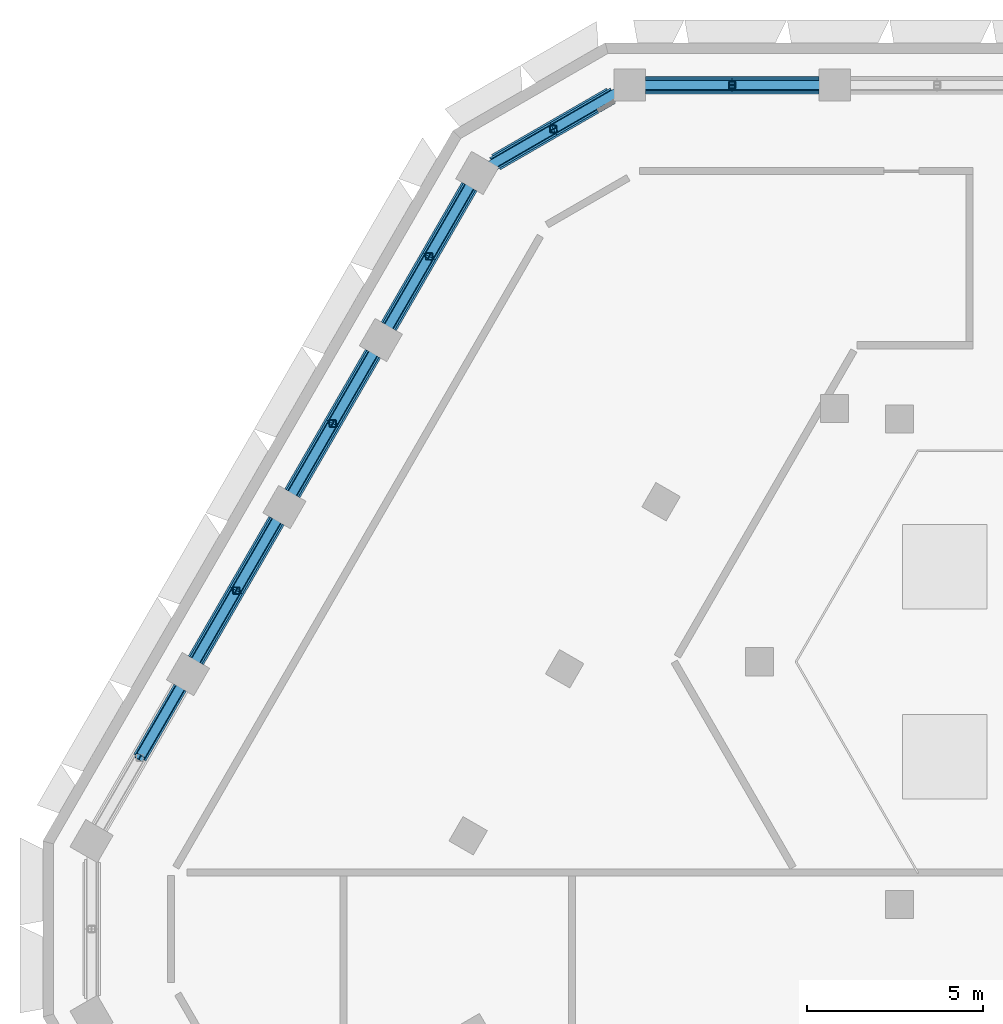
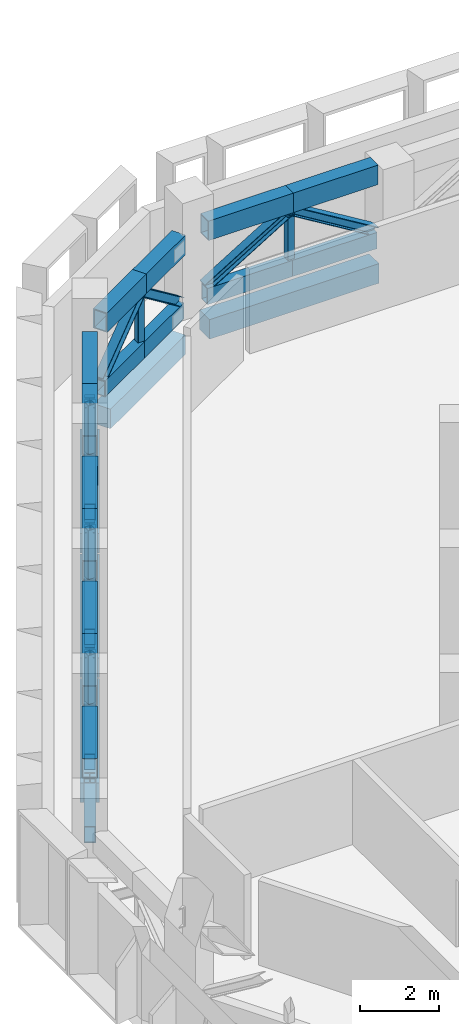
# One storey, part 7 of 22: 38 members, 5 beams.
"""IFC4 building model written with IfcOpenShell, lengths in metres."""

from ifc_helpers import new_model, si_unit, direction, frame, origin, origin_2d, place, context, subcontext, project, spatial, rectangle, hollow_rectangle, i_section, extrude, material, material_profile, profile_set, type_object, element, save


model = new_model("IFC4")

# Units and contexts
model_context = context("Model", 3, precision=1e-05, world=origin(), true_north=direction((0.0, 1.0)))
body_context = subcontext(model_context, "Body", "Model", "MODEL_VIEW")
ifc_project = project(units=[si_unit("LENGTHUNIT", "METRE"), si_unit("AREAUNIT", "SQUARE_METRE"), si_unit("VOLUMEUNIT", "CUBIC_METRE"), si_unit("PLANEANGLEUNIT", "RADIAN"), si_unit("MASSUNIT", "GRAM", prefix="KILO")], contexts=[model_context])

# Site, building, storey
site_placement = place(None, origin())
site = spatial("IfcSite", under=ifc_project, at=site_placement, CompositionType="ELEMENT")
building_placement = place(site_placement, origin())
building = spatial("IfcBuilding", under=site, at=building_placement, Name="Beryl Residences", CompositionType="ELEMENT")
storey_placement = place(building_placement, frame((0.0, 0.0, 153.60009765625)))
storey = spatial("IfcBuildingStorey", under=building, at=storey_placement, Name="L47", CompositionType="ELEMENT", Elevation=153.60009765625)

# Members
ifc_material_1 = material(Name="Steel S355", Category="steel")
ifc_material_profile_1 = material_profile(ifc_material_1, hollow_rectangle(XDim=0.300048828125, YDim=0.5, WallThickness=0.02001953125, at=origin_2d()))
ifc_profile_set_1 = profile_set([ifc_material_profile_1], Name="Steel S355")
member_type_1 = type_object("IfcMemberType", Name="BB3 belt truss bottom chord WB 500x300x20", PredefinedType="CHORD", material=ifc_profile_set_1)
member_1_placement = place(storey_placement, frame((-6.281005859375, 24.39990234375, 0.25), z_axis=(-1.0, 0.0, 0.0), x_axis=(0.0, -1.0, 0.0)))
element("IfcMember", 1, at=member_1_placement, inside=storey, type_object=member_type_1, Name="Belt truss BB3-N-3a L47", PredefinedType="CHORD", context=body_context, shape_type="SweptSolid", body=[
    extrude(hollow_rectangle(XDim=0.300048828125, YDim=0.5, WallThickness=0.02001953125, at=origin_2d()), origin(), (0.0, 0.0, 1.0), 2.466064453125),
])
member_2_placement = place(storey_placement, frame((-8.7470703125, 24.39990234375, 0.25), z_axis=(-1.0, 0.0, 0.0), x_axis=(0.0, -1.0, 0.0)))
element("IfcMember", 2, at=member_2_placement, inside=storey, type_object=member_type_1, Name="Belt truss BB3-N-3b L47", PredefinedType="CHORD", context=body_context, shape_type="SweptSolid", body=[
    extrude(hollow_rectangle(XDim=0.300048828125, YDim=0.5, WallThickness=0.02001953125, at=origin_2d()), origin(), (0.0, 0.0, 1.0), 2.46484375),
])
member_3_placement = place(storey_placement, frame((-12.112060546875, 24.139892578125, 0.25), z_axis=(-0.866165067302, -0.499758017631, 0.0), x_axis=(0.499758017631, -0.866165067302, 0.0)))
element("IfcMember", 3, at=member_3_placement, inside=storey, type_object=member_type_1, Name="Belt truss BB3-N-4a L47", PredefinedType="CHORD", context=body_context, shape_type="SweptSolid", body=[
    extrude(hollow_rectangle(XDim=0.300048828125, YDim=0.5, WallThickness=0.02001953125, at=origin_2d()), origin(), (0.0, 0.0, 1.0), 1.98095703125),
])
member_4_placement = place(storey_placement, frame((-13.827880859375, 23.14990234375, 0.25), z_axis=(-0.866072678707, -0.499918108492, 0.0), x_axis=(0.499918108492, -0.866072678707, 0.0)))
element("IfcMember", 4, at=member_4_placement, inside=storey, type_object=member_type_1, Name="Belt truss BB3-N-4b L47", PredefinedType="CHORD", context=body_context, shape_type="SweptSolid", body=[
    extrude(hollow_rectangle(XDim=0.300048828125, YDim=0.5, WallThickness=0.02001953125, at=origin_2d()), origin(), (0.0, 0.0, 1.0), 1.980224609375),
])
member_5_placement = place(storey_placement, frame((-16.218017578125, 21.510009765625, 0.25), z_axis=(-0.499965247104, -0.866045467449, 0.0), x_axis=(0.866045467449, -0.499965247104, 0.0)))
element("IfcMember", 5, at=member_5_placement, inside=storey, type_object=member_type_1, Name="Belt truss BB3-NW-0a L47", PredefinedType="CHORD", context=body_context, shape_type="SweptSolid", body=[
    extrude(hollow_rectangle(XDim=0.300048828125, YDim=0.5, WallThickness=0.02001953125, at=origin_2d()), origin(), (0.0, 0.0, 1.0), 2.292236328125),
])
member_6_placement = place(storey_placement, frame((-17.364013671875, 19.52490234375, 0.25), z_axis=(-0.500011369369, -0.866018839577, 0.0), x_axis=(0.866018839577, -0.500011369369, 0.0)))
element("IfcMember", 6, at=member_6_placement, inside=storey, type_object=member_type_1, Name="Belt truss BB3-NW-0b L47", PredefinedType="CHORD", context=body_context, shape_type="SweptSolid", body=[
    extrude(hollow_rectangle(XDim=0.300048828125, YDim=0.5, WallThickness=0.02001953125, at=origin_2d()), origin(), (0.0, 0.0, 1.0), 2.2919921875),
])
member_7_placement = place(storey_placement, frame((-18.9599609375, 16.760009765625, 0.25), z_axis=(-0.500284694487, -0.865860972941, 0.0), x_axis=(0.865860972941, -0.500284694487, 0.0)))
element("IfcMember", 7, at=member_7_placement, inside=storey, type_object=member_type_1, Name="Belt truss BB3-NW-1a L47", PredefinedType="CHORD", context=body_context, shape_type="SweptSolid", body=[
    extrude(hollow_rectangle(XDim=0.300048828125, YDim=0.5, WallThickness=0.02001953125, at=origin_2d()), origin(), (0.0, 0.0, 1.0), 2.292724609375),
])
member_8_placement = place(storey_placement, frame((-20.10693359375, 14.77490234375, 0.25), z_axis=(-0.500011369369, -0.866018839577, 0.0), x_axis=(0.866018839577, -0.500011369369, 0.0)))
element("IfcMember", 8, at=member_8_placement, inside=storey, type_object=member_type_1, Name="Belt truss BB3-NW-1b L47", PredefinedType="CHORD", context=body_context, shape_type="SweptSolid", body=[
    extrude(hollow_rectangle(XDim=0.300048828125, YDim=0.5, WallThickness=0.02001953125, at=origin_2d()), origin(), (0.0, 0.0, 1.0), 2.2919921875),
])
member_9_placement = place(storey_placement, frame((-21.702880859375, 12.010009765625, 0.25), z_axis=(-0.500045128092, -0.865999347501, 0.0), x_axis=(0.865999347501, -0.500045128092, 0.0)))
element("IfcMember", 9, at=member_9_placement, inside=storey, type_object=member_type_1, Name="Belt truss BB3-NW-2a L47", PredefinedType="CHORD", context=body_context, shape_type="SweptSolid", body=[
    extrude(hollow_rectangle(XDim=0.300048828125, YDim=0.5, WallThickness=0.02001953125, at=origin_2d()), origin(), (0.0, 0.0, 1.0), 2.292236328125),
])
member_10_placement = place(storey_placement, frame((-22.84912109375, 10.02490234375, 0.25), z_axis=(-0.500011369369, -0.866018839577, 0.0), x_axis=(0.866018839577, -0.500011369369, 0.0)))
element("IfcMember", 10, at=member_10_placement, inside=storey, type_object=member_type_1, Name="Belt truss BB3-NW-2b L47", PredefinedType="CHORD", context=body_context, shape_type="SweptSolid", body=[
    extrude(hollow_rectangle(XDim=0.300048828125, YDim=0.5, WallThickness=0.02001953125, at=origin_2d()), origin(), (0.0, 0.0, 1.0), 2.2919921875),
])
member_11_placement = place(storey_placement, frame((-24.445068359375, 7.260009765625, 0.25), z_axis=(-0.499965247104, -0.866045467449, 0.0), x_axis=(0.866045467449, -0.499965247104, 0.0)))
element("IfcMember", 11, at=member_11_placement, inside=storey, type_object=member_type_1, Name="Belt truss BB3-NW-3a L47", PredefinedType="CHORD", context=body_context, shape_type="SweptSolid", body=[
    extrude(hollow_rectangle(XDim=0.300048828125, YDim=0.5, WallThickness=0.02001953125, at=origin_2d()), origin(), (0.0, 0.0, 1.0), 2.292236328125),
])
ifc_material_2 = material(Name="Steel S355", Category="steel")
ifc_material_profile_2 = material_profile(ifc_material_2, i_section(OverallWidth=0.256103515625, OverallDepth=0.260009765625, WebThickness=0.010498046875, FlangeThickness=0.017333984375, FilletRadius=0.013916015625, at=origin_2d()))
ifc_profile_set_2 = profile_set([ifc_material_profile_2], Name="Steel S355")
member_type_2 = type_object("IfcMemberType", Name="BD3 belt truss diagonal 250UC90", PredefinedType="BRACE", material=ifc_profile_set_2)
member_12_placement = place(storey_placement, frame((-6.281005859375, 24.39990234375, 0.5), z_axis=(-0.854365109594, 0.0, 0.519673223775), x_axis=(0.0, -1.0, 0.0)))
element("IfcMember", 12, at=member_12_placement, inside=storey, type_object=member_type_2, Name="Belt truss BD3-N-3a L47", PredefinedType="BRACE", context=body_context, shape_type="SweptSolid", body=[
    extrude(i_section(OverallWidth=0.256103515625, OverallDepth=0.260009765625, WebThickness=0.010498046875, FlangeThickness=0.017333984375, FilletRadius=0.013916015625, at=origin_2d()), origin(), (0.0, 0.0, 1.0), 2.886474609375),
])
member_13_placement = place(storey_placement, frame((-11.2119140625, 24.39990234375, 0.5), z_axis=(0.854250836171, 0.0, 0.519861047686), x_axis=(0.0, 1.0, 0.0)))
element("IfcMember", 13, at=member_13_placement, inside=storey, type_object=member_type_2, Name="Belt truss BD3-N-3b L47", PredefinedType="BRACE", context=body_context, shape_type="SweptSolid", body=[
    extrude(i_section(OverallWidth=0.256103515625, OverallDepth=0.260009765625, WebThickness=0.010498046875, FlangeThickness=0.017333984375, FilletRadius=0.013916015625, at=origin_2d()), origin(), (0.0, 0.0, 1.0), 2.885498046875),
])
member_14_placement = place(storey_placement, frame((-12.112060546875, 24.139892578125, 0.5), z_axis=(-0.690532735225, -0.39842206052, 0.603675743486), x_axis=(0.499758017631, -0.866165067302, 0.0)))
element("IfcMember", 14, at=member_14_placement, inside=storey, type_object=member_type_2, Name="Belt truss BD3-N-4a L47", PredefinedType="BRACE", context=body_context, shape_type="SweptSolid", body=[
    extrude(i_section(OverallWidth=0.256103515625, OverallDepth=0.260009765625, WebThickness=0.010498046875, FlangeThickness=0.017333984375, FilletRadius=0.013916015625, at=origin_2d()), origin(), (0.0, 0.0, 1.0), 2.48486328125),
])
member_15_placement = place(storey_placement, frame((-15.54296875, 22.159912109375, 0.5), z_axis=(0.690378478297, 0.398503164341, 0.603798629275), x_axis=(-0.499918108492, 0.866072678707, 0.0)))
element("IfcMember", 15, at=member_15_placement, inside=storey, type_object=member_type_2, Name="Belt truss BD3-N-4b L47", PredefinedType="BRACE", context=body_context, shape_type="SweptSolid", body=[
    extrude(i_section(OverallWidth=0.256103515625, OverallDepth=0.260009765625, WebThickness=0.010498046875, FlangeThickness=0.017333984375, FilletRadius=0.013916015625, at=origin_2d()), origin(), (0.0, 0.0, 1.0), 2.484375),
])
for number, where, z_axis, x_axis, name in (
    (16, (-16.218017578125, 21.510009765625, 0.5), (-0.418348219393, -0.724667527031, 0.547578069866), (0.866045467449, -0.499965247104, 0.0), "Belt truss BD3-NW-0a L47"),
    (17, (-18.510009765625, 17.5400390625, 0.5), (0.418375239492, 0.724625201761, 0.547613436608), (-0.866018839577, 0.500011369369, 0.0), "Belt truss BD3-NW-0b L47"),
):
    element("IfcMember", number, at=place(storey_placement, frame(where, z_axis=z_axis, x_axis=x_axis)), inside=storey, type_object=member_type_2, Name=name, PredefinedType="BRACE", context=body_context, shape_type="SweptSolid", body=[
        extrude(i_section(OverallWidth=0.256103515625, OverallDepth=0.260009765625, WebThickness=0.010498046875, FlangeThickness=0.017333984375, FilletRadius=0.013916015625, at=origin_2d()), origin(), (0.0, 0.0, 1.0), 2.7392578125),
    ])
member_16_placement = place(storey_placement, frame((-18.9599609375, 16.760009765625, 0.5), z_axis=(-0.418642257481, -0.724559428604, 0.547496387817), x_axis=(0.865860972941, -0.500284694487, 0.0)))
element("IfcMember", 18, at=member_16_placement, inside=storey, type_object=member_type_2, Name="Belt truss BD3-NW-1a L47", PredefinedType="BRACE", context=body_context, shape_type="SweptSolid", body=[
    extrude(i_section(OverallWidth=0.256103515625, OverallDepth=0.260009765625, WebThickness=0.010498046875, FlangeThickness=0.017333984375, FilletRadius=0.013916015625, at=origin_2d()), origin(), (0.0, 0.0, 1.0), 2.73974609375),
])
member_17_placement = place(storey_placement, frame((-21.2529296875, 12.7900390625, 0.5), z_axis=(0.418375239492, 0.724625201761, 0.547613436608), x_axis=(-0.866018839577, 0.500011369369, 0.0)))
element("IfcMember", 19, at=member_17_placement, inside=storey, type_object=member_type_2, Name="Belt truss BD3-NW-1b L47", PredefinedType="BRACE", context=body_context, shape_type="SweptSolid", body=[
    extrude(i_section(OverallWidth=0.256103515625, OverallDepth=0.260009765625, WebThickness=0.010498046875, FlangeThickness=0.017333984375, FilletRadius=0.013916015625, at=origin_2d()), origin(), (0.0, 0.0, 1.0), 2.7392578125),
])
member_18_placement = place(storey_placement, frame((-21.702880859375, 12.010009765625, 0.5), z_axis=(-0.418421741252, -0.724640506521, 0.54755765245), x_axis=(0.865999347501, -0.500045128092, 0.0)))
element("IfcMember", 20, at=member_18_placement, inside=storey, type_object=member_type_2, Name="Belt truss BD3-NW-2a L47", PredefinedType="BRACE", context=body_context, shape_type="SweptSolid", body=[
    extrude(i_section(OverallWidth=0.256103515625, OverallDepth=0.260009765625, WebThickness=0.010498046875, FlangeThickness=0.017333984375, FilletRadius=0.013916015625, at=origin_2d()), origin(), (0.0, 0.0, 1.0), 2.739501953125),
])
for number, where, z_axis, x_axis, name in (
    (21, (-23.9951171875, 8.0400390625, 0.5), (0.418375239492, 0.724625201761, 0.547613436608), (-0.866018839577, 0.500011369369, 0.0), "Belt truss BD3-NW-2b L47"),
    (22, (-24.445068359375, 7.260009765625, 0.5), (-0.418348219393, -0.724667527031, 0.547578069866), (0.866045467449, -0.499965247104, 0.0), "Belt truss BD3-NW-3a L47"),
):
    element("IfcMember", number, at=place(storey_placement, frame(where, z_axis=z_axis, x_axis=x_axis)), inside=storey, type_object=member_type_2, Name=name, PredefinedType="BRACE", context=body_context, shape_type="SweptSolid", body=[
        extrude(i_section(OverallWidth=0.256103515625, OverallDepth=0.260009765625, WebThickness=0.010498046875, FlangeThickness=0.017333984375, FilletRadius=0.013916015625, at=origin_2d()), origin(), (0.0, 0.0, 1.0), 2.7392578125),
    ])
ifc_material_3 = material(Name="Steel S355", Category="steel")
ifc_material_profile_3 = material_profile(ifc_material_3, hollow_rectangle(XDim=0.199951171875, YDim=0.199951171875, WallThickness=0.009033203125, InnerFilletRadius=0.009033203125, OuterFilletRadius=0.01806640625, at=origin_2d()))
ifc_profile_set_3 = profile_set([ifc_material_profile_3], Name="Steel S355")
member_type_3 = type_object("IfcMemberType", Name="BQ3 belt truss post SHS 200x200x9", PredefinedType="POST", material=ifc_profile_set_3)
for number, where, z_axis, x_axis, name in (
    (23, (-8.7470703125, 24.39990234375, 0.5), (0.0, 0.0, 1.0), (1.0, 0.0, 0.0), "Belt truss BQ3-N-3 L47"),
    (24, (-13.827880859375, 23.14990234375, 0.5), (0.0, 0.0, 1.0), (1.0, 0.0, 0.0), "Belt truss BQ3-N-4 L47"),
    (25, (-17.364013671875, 19.52490234375, 0.5), (0.0, 0.0, 1.0), (1.0, 0.0, 0.0), "Belt truss BQ3-NW-0 L47"),
    (26, (-20.10693359375, 14.77490234375, 0.5), (0.0, 0.0, 1.0), (1.0, 0.0, 0.0), "Belt truss BQ3-NW-1 L47"),
    (27, (-22.84912109375, 10.02490234375, 0.5), (0.0, 0.0, 1.0), (1.0, 0.0, 0.0), "Belt truss BQ3-NW-2 L47"),
):
    element("IfcMember", number, at=place(storey_placement, frame(where, z_axis=z_axis, x_axis=x_axis)), inside=storey, type_object=member_type_3, Name=name, PredefinedType="POST", context=body_context, shape_type="SweptSolid", body=[
        extrude(hollow_rectangle(XDim=0.199951171875, YDim=0.199951171875, WallThickness=0.009033203125, InnerFilletRadius=0.009033203125, OuterFilletRadius=0.01806640625, at=origin_2d()), origin(), (0.0, 0.0, 1.0), 1.5),
    ])
ifc_material_4 = material(Name="Steel S355", Category="steel")
ifc_material_profile_4 = material_profile(ifc_material_4, hollow_rectangle(XDim=0.39990234375, YDim=0.60009765625, WallThickness=0.030029296875, at=origin_2d()))
ifc_profile_set_4 = profile_set([ifc_material_profile_4], Name="Steel S355")
member_type_4 = type_object("IfcMemberType", Name="BT3 belt truss top chord WB 600x400x30", PredefinedType="CHORD", material=ifc_profile_set_4)
member_19_placement = place(storey_placement, frame((-6.281005859375, 24.39990234375, 2.2998046875), z_axis=(-1.0, 0.0, 0.0), x_axis=(0.0, -1.0, 0.0)))
element("IfcMember", 28, at=member_19_placement, inside=storey, type_object=member_type_4, Name="Belt truss BT3-N-3a L47", PredefinedType="CHORD", context=body_context, shape_type="SweptSolid", body=[
    extrude(hollow_rectangle(XDim=0.39990234375, YDim=0.60009765625, WallThickness=0.030029296875, at=origin_2d()), origin(), (0.0, 0.0, 1.0), 2.466064453125),
])
member_20_placement = place(storey_placement, frame((-8.7470703125, 24.39990234375, 2.2998046875), z_axis=(-1.0, 0.0, 0.0), x_axis=(0.0, -1.0, 0.0)))
element("IfcMember", 29, at=member_20_placement, inside=storey, type_object=member_type_4, Name="Belt truss BT3-N-3b L47", PredefinedType="CHORD", context=body_context, shape_type="SweptSolid", body=[
    extrude(hollow_rectangle(XDim=0.39990234375, YDim=0.60009765625, WallThickness=0.030029296875, at=origin_2d()), origin(), (0.0, 0.0, 1.0), 2.46484375),
])
member_21_placement = place(storey_placement, frame((-12.112060546875, 24.139892578125, 2.2998046875), z_axis=(-0.866165067302, -0.499758017631, 0.0), x_axis=(0.499758017631, -0.866165067302, 0.0)))
element("IfcMember", 30, at=member_21_placement, inside=storey, type_object=member_type_4, Name="Belt truss BT3-N-4a L47", PredefinedType="CHORD", context=body_context, shape_type="SweptSolid", body=[
    extrude(hollow_rectangle(XDim=0.39990234375, YDim=0.60009765625, WallThickness=0.030029296875, at=origin_2d()), origin(), (0.0, 0.0, 1.0), 1.98095703125),
])
member_22_placement = place(storey_placement, frame((-13.827880859375, 23.14990234375, 2.2998046875), z_axis=(-0.866072678707, -0.499918108492, 0.0), x_axis=(0.499918108492, -0.866072678707, 0.0)))
element("IfcMember", 31, at=member_22_placement, inside=storey, type_object=member_type_4, Name="Belt truss BT3-N-4b L47", PredefinedType="CHORD", context=body_context, shape_type="SweptSolid", body=[
    extrude(hollow_rectangle(XDim=0.39990234375, YDim=0.60009765625, WallThickness=0.030029296875, at=origin_2d()), origin(), (0.0, 0.0, 1.0), 1.980224609375),
])
member_23_placement = place(storey_placement, frame((-16.218017578125, 21.510009765625, 2.2998046875), z_axis=(-0.499965247104, -0.866045467449, 0.0), x_axis=(0.866045467449, -0.499965247104, 0.0)))
element("IfcMember", 32, at=member_23_placement, inside=storey, type_object=member_type_4, Name="Belt truss BT3-NW-0a L47", PredefinedType="CHORD", context=body_context, shape_type="SweptSolid", body=[
    extrude(hollow_rectangle(XDim=0.39990234375, YDim=0.60009765625, WallThickness=0.030029296875, at=origin_2d()), origin(), (0.0, 0.0, 1.0), 2.292236328125),
])
member_24_placement = place(storey_placement, frame((-17.364013671875, 19.52490234375, 2.2998046875), z_axis=(-0.500011369369, -0.866018839577, 0.0), x_axis=(0.866018839577, -0.500011369369, 0.0)))
element("IfcMember", 33, at=member_24_placement, inside=storey, type_object=member_type_4, Name="Belt truss BT3-NW-0b L47", PredefinedType="CHORD", context=body_context, shape_type="SweptSolid", body=[
    extrude(hollow_rectangle(XDim=0.39990234375, YDim=0.60009765625, WallThickness=0.030029296875, at=origin_2d()), origin(), (0.0, 0.0, 1.0), 2.2919921875),
])
member_25_placement = place(storey_placement, frame((-18.9599609375, 16.760009765625, 2.2998046875), z_axis=(-0.500284694487, -0.865860972941, 0.0), x_axis=(0.865860972941, -0.500284694487, 0.0)))
element("IfcMember", 34, at=member_25_placement, inside=storey, type_object=member_type_4, Name="Belt truss BT3-NW-1a L47", PredefinedType="CHORD", context=body_context, shape_type="SweptSolid", body=[
    extrude(hollow_rectangle(XDim=0.39990234375, YDim=0.60009765625, WallThickness=0.030029296875, at=origin_2d()), origin(), (0.0, 0.0, 1.0), 2.292724609375),
])
member_26_placement = place(storey_placement, frame((-20.10693359375, 14.77490234375, 2.2998046875), z_axis=(-0.500011369369, -0.866018839577, 0.0), x_axis=(0.866018839577, -0.500011369369, 0.0)))
element("IfcMember", 35, at=member_26_placement, inside=storey, type_object=member_type_4, Name="Belt truss BT3-NW-1b L47", PredefinedType="CHORD", context=body_context, shape_type="SweptSolid", body=[
    extrude(hollow_rectangle(XDim=0.39990234375, YDim=0.60009765625, WallThickness=0.030029296875, at=origin_2d()), origin(), (0.0, 0.0, 1.0), 2.2919921875),
])
member_27_placement = place(storey_placement, frame((-21.702880859375, 12.010009765625, 2.2998046875), z_axis=(-0.500045128092, -0.865999347501, 0.0), x_axis=(0.865999347501, -0.500045128092, 0.0)))
element("IfcMember", 36, at=member_27_placement, inside=storey, type_object=member_type_4, Name="Belt truss BT3-NW-2a L47", PredefinedType="CHORD", context=body_context, shape_type="SweptSolid", body=[
    extrude(hollow_rectangle(XDim=0.39990234375, YDim=0.60009765625, WallThickness=0.030029296875, at=origin_2d()), origin(), (0.0, 0.0, 1.0), 2.292236328125),
])
member_28_placement = place(storey_placement, frame((-22.84912109375, 10.02490234375, 2.2998046875), z_axis=(-0.500011369369, -0.866018839577, 0.0), x_axis=(0.866018839577, -0.500011369369, 0.0)))
element("IfcMember", 37, at=member_28_placement, inside=storey, type_object=member_type_4, Name="Belt truss BT3-NW-2b L47", PredefinedType="CHORD", context=body_context, shape_type="SweptSolid", body=[
    extrude(hollow_rectangle(XDim=0.39990234375, YDim=0.60009765625, WallThickness=0.030029296875, at=origin_2d()), origin(), (0.0, 0.0, 1.0), 2.2919921875),
])
member_29_placement = place(storey_placement, frame((-24.445068359375, 7.260009765625, 2.2998046875), z_axis=(-0.499965247104, -0.866045467449, 0.0), x_axis=(0.866045467449, -0.499965247104, 0.0)))
element("IfcMember", 38, at=member_29_placement, inside=storey, type_object=member_type_4, Name="Belt truss BT3-NW-3a L47", PredefinedType="CHORD", context=body_context, shape_type="SweptSolid", body=[
    extrude(hollow_rectangle(XDim=0.39990234375, YDim=0.60009765625, WallThickness=0.030029296875, at=origin_2d()), origin(), (0.0, 0.0, 1.0), 2.292236328125),
])

# Beams
ifc_material_5 = material(Name="Concrete C60/75", Category="concrete")
ifc_material_profile_5 = material_profile(ifc_material_5, rectangle(XDim=0.5, YDim=0.60009765625, at=origin_2d()))
ifc_profile_set_5 = profile_set([ifc_material_profile_5], Name="Concrete C60/75")
beam_type = type_object("IfcBeamType", Name="SB3 spandrel beam 500 x 600 C60/75", PredefinedType="SPANDREL", material=ifc_profile_set_5)
beam_1_placement = place(storey_placement, frame((-6.281005859375, 24.39990234375, -0.7001953125), z_axis=(-1.0, 0.0, 0.0), x_axis=(0.0, -1.0, 0.0)))
element("IfcBeam", 39, at=beam_1_placement, inside=storey, type_object=beam_type, Name="SB3 L47 N-3", PredefinedType="SPANDREL", context=body_context, shape_type="SweptSolid", body=[
    extrude(rectangle(XDim=0.5, YDim=0.60009765625, at=origin_2d()), origin(), (0.0, 0.0, 1.0), 4.930908203125),
])
beam_2_placement = place(storey_placement, frame((-12.194091796875, 24.093017578125, -0.7001953125), z_axis=(-0.866040087317, -0.499974566514, 0.0), x_axis=(0.499974566514, -0.866040087317, 0.0)))
element("IfcBeam", 40, at=beam_2_placement, inside=storey, type_object=beam_type, Name="SB3 L47 N-4", PredefinedType="SPANDREL", context=body_context, shape_type="SweptSolid", body=[
    extrude(rectangle(XDim=0.5, YDim=0.60009765625, at=origin_2d()), origin(), (0.0, 0.0, 1.0), 3.772216796875),
])
beam_3_placement = place(storey_placement, frame((-16.218017578125, 21.510009765625, -0.7001953125), z_axis=(-0.49998830735, -0.866032154434, 0.0), x_axis=(0.866032154434, -0.49998830735, 0.0)))
element("IfcBeam", 41, at=beam_3_placement, inside=storey, type_object=beam_type, Name="SB3 L47 NW-0", PredefinedType="SPANDREL", context=body_context, shape_type="SweptSolid", body=[
    extrude(rectangle(XDim=0.5, YDim=0.60009765625, at=origin_2d()), origin(), (0.0, 0.0, 1.0), 4.583984375),
])
beam_4_placement = place(storey_placement, frame((-18.9599609375, 16.760009765625, -0.7001953125), z_axis=(-0.500148059018, -0.865939904993, 0.0), x_axis=(0.865939904993, -0.500148059018, 0.0)))
element("IfcBeam", 42, at=beam_4_placement, inside=storey, type_object=beam_type, Name="SB3 L47 NW-1", PredefinedType="SPANDREL", context=body_context, shape_type="SweptSolid", body=[
    extrude(rectangle(XDim=0.5, YDim=0.60009765625, at=origin_2d()), origin(), (0.0, 0.0, 1.0), 4.58447265625),
])
beam_5_placement = place(storey_placement, frame((-21.702880859375, 12.010009765625, -0.7001953125), z_axis=(-0.500028250054, -0.866009092994, 0.0), x_axis=(0.866009092994, -0.500028250054, 0.0)))
element("IfcBeam", 43, at=beam_5_placement, inside=storey, type_object=beam_type, Name="SB3 L47 NW-2", PredefinedType="SPANDREL", context=body_context, shape_type="SweptSolid", body=[
    extrude(rectangle(XDim=0.5, YDim=0.60009765625, at=origin_2d()), origin(), (0.0, 0.0, 1.0), 4.584228515625),
])

save(model, "model.ifc")
